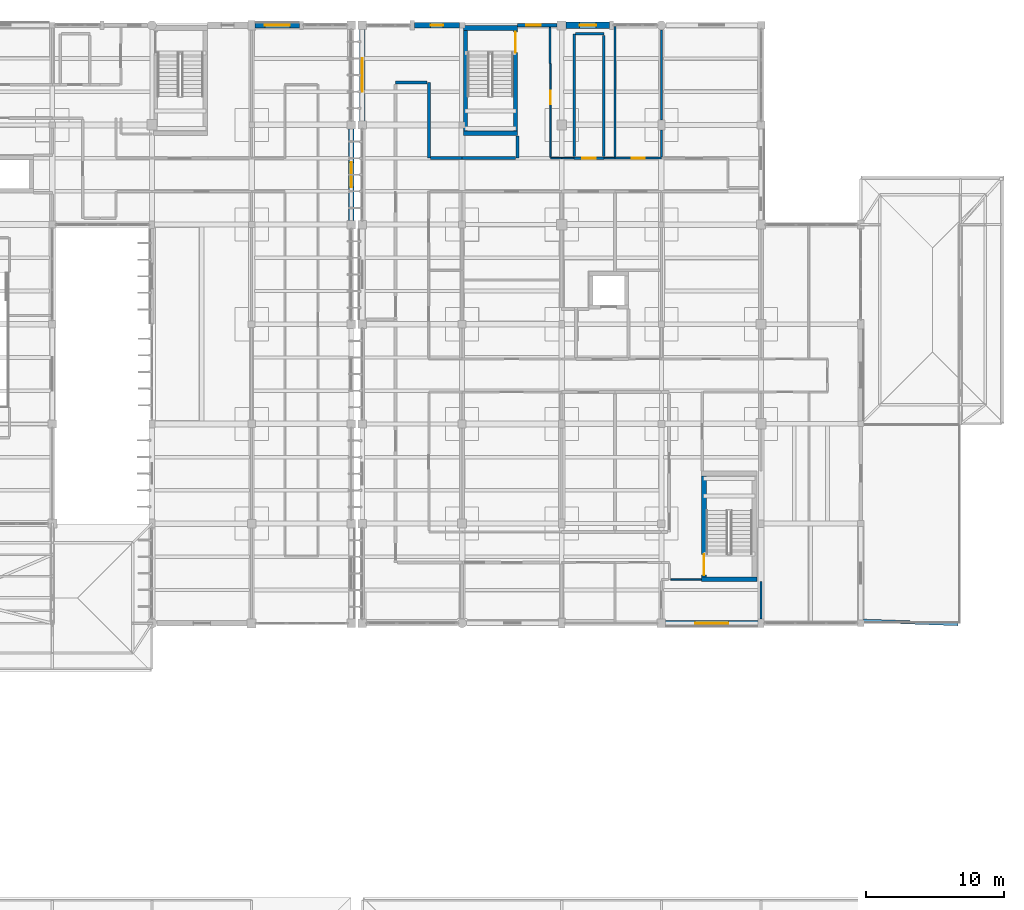
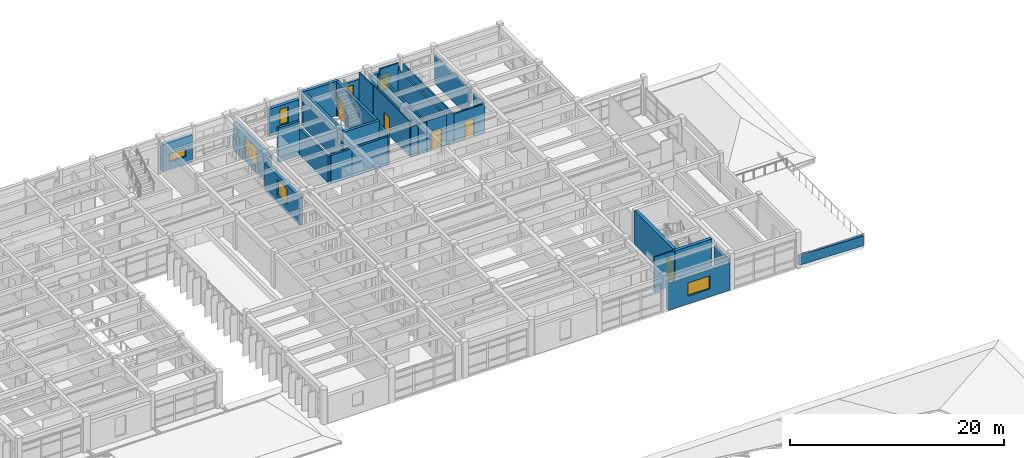
# One storey, part 81 of 100: 34 walls, 7 windows, 5 doors, 12 openings.
"""IFC4 building model written with IfcOpenShell, lengths in metres."""

from ifc_helpers import new_model, si_unit, direction, frame, frame_2d, origin, place, context, subcontext, project, spatial, rectangle, extrude, material, layer, layer_set, type_object, element, fill, save


model = new_model("IFC4")

# Units and contexts
model_context = context("Model", 3, precision=1e-05, world=origin(), true_north=direction((0.0, 1.0)))
body_context = subcontext(model_context, "Body", "Model", "MODEL_VIEW")
ifc_project = project(units=[si_unit("LENGTHUNIT", "METRE"), si_unit("AREAUNIT", "SQUARE_METRE"), si_unit("VOLUMEUNIT", "CUBIC_METRE"), si_unit("PLANEANGLEUNIT", "RADIAN"), si_unit("MASSUNIT", "GRAM", prefix="KILO")], contexts=[model_context])

# Site, building, storey
site_placement = place(None, origin())
site = spatial("IfcSite", under=ifc_project, at=site_placement, CompositionType="ELEMENT")
building_placement = place(site_placement, origin())
building = spatial("IfcBuilding", under=site, at=building_placement, Name="Steenspoor Specialist Clinic", CompositionType="ELEMENT")
storey_placement = place(building_placement, frame((0.0, 0.0, 9.0)))
storey = spatial("IfcBuildingStorey", under=building, at=storey_placement, Name="L02", CompositionType="ELEMENT", Elevation=9.0)

# Wall, opening, window
ifc_material_1 = material(Name="Extruded clay brick masonry", Category="masonry")
ifc_layer_1 = layer(ifc_material_1, 0.3798828125)
ifc_layer_set_1 = layer_set([ifc_layer_1], Name="Extruded clay brick masonry")
wall_type_1 = type_object("IfcWallType", Name="W-BRICK-380", PredefinedType="USERDEFINED", material=ifc_layer_set_1)
wall_1_placement = place(storey_placement, frame((117.199951171875, 100.85009765625, 0.0), z_axis=(0.0, 0.0, 1.0), x_axis=(0.0, -1.0, 0.0)))
wall_1 = element("IfcWall", 1, at=wall_1_placement, inside=storey, type_object=wall_type_1, Name="Exterior Brick Wall EW-V4-L02-0148", ObjectType="CAVITY VENEER", PredefinedType="USERDEFINED", context=body_context, shape_type="SweptSolid", body=[
    extrude(rectangle(XDim=6.60009765625, YDim=0.3798828125, at=frame_2d((3.300048828125, 0.0))), origin(), (0.0, 0.0, 1.0), 3.1298828125),
])
opening_1_placement = place(wall_1_placement, frame((2.39990234375, 0.0, 0.89990234375)))
opening_1 = element("IfcOpeningElement", 2, at=opening_1_placement, cuts=wall_1, Name="Opening WN-08", PredefinedType="OPENING", context=body_context, shape_type="SweptSolid", body=[
    extrude(rectangle(XDim=1.800048828125, YDim=1.800048828125, at=frame_2d((0.89990234375, 0.89990234375))), frame((0.0, 0.199951171875, 0.0), z_axis=(0.0, -1.0, 0.0), x_axis=(1.0, 0.0, 0.0)), (0.0, 0.0, 1.0), 0.39990234375),
])
ifc_material_2 = material(Name="Thermally broken aluminium and low-emissivity glass", Category="aluminium")
window_type_1 = type_object("IfcWindowType", Name="WN-EXT-180X180", PartitioningType="SINGLE_PANEL", PredefinedType="WINDOW", material=ifc_material_2)
window_1_placement = place(opening_1_placement, origin())
window_1 = element("IfcWindow", 3, at=window_1_placement, inside=storey, type_object=window_type_1, Name="Window 0174", OverallHeight=1.800048828125, OverallWidth=1.800048828125, PartitioningType="SINGLE_PANEL", PredefinedType="WINDOW", context=body_context, shape_type="SweptSolid", body=[
    extrude(rectangle(XDim=1.800048828125, YDim=1.800048828125, at=frame_2d((0.89990234375, 0.89990234375))), frame((0.0, 0.030029296875, 0.0), z_axis=(0.0, -1.0, 0.0), x_axis=(1.0, 0.0, 0.0)), (0.0, 0.0, 1.0), 0.06005859375),
])
fill(opening_1, window_1)

wall_2_placement = place(storey_placement, frame((121.77001953125, 108.35009765625, 0.0), z_axis=(0.0, 0.0, 1.0), x_axis=(1.0, 0.0, 0.0)))
wall_2 = element("IfcWall", 4, at=wall_2_placement, inside=storey, type_object=wall_type_1, Name="Exterior Brick Wall EW-V6-L02-0332", ObjectType="CAVITY VENEER", PredefinedType="USERDEFINED", context=body_context, shape_type="SweptSolid", body=[
    extrude(rectangle(XDim=3.22998046875, YDim=0.3798828125, at=frame_2d((1.614990234375, 0.0))), origin(), (0.0, 0.0, 1.0), 3.1298828125),
])
opening_2_placement = place(wall_2_placement, frame((1.1650390625, 0.0, 0.89990234375)))
opening_2 = element("IfcOpeningElement", 5, at=opening_2_placement, cuts=wall_2, Name="Opening WN-03", PredefinedType="OPENING", context=body_context, shape_type="SweptSolid", body=[
    extrude(rectangle(XDim=0.89990234375, YDim=1.800048828125, at=frame_2d((0.449951171875, 0.89990234375))), frame((0.0, 0.199951171875, 0.0), z_axis=(0.0, -1.0, 0.0), x_axis=(1.0, 0.0, 0.0)), (0.0, 0.0, 1.0), 0.39990234375),
])
window_type_2 = type_object("IfcWindowType", Name="WN-EXT-090X180", PartitioningType="SINGLE_PANEL", PredefinedType="WINDOW", material=ifc_material_2)
window_2_placement = place(opening_2_placement, origin())
window_2 = element("IfcWindow", 6, at=window_2_placement, inside=storey, type_object=window_type_2, Name="Window 0353", OverallHeight=1.800048828125, OverallWidth=0.89990234375, PartitioningType="SINGLE_PANEL", PredefinedType="WINDOW", context=body_context, shape_type="SweptSolid", body=[
    extrude(rectangle(XDim=0.89990234375, YDim=1.800048828125, at=frame_2d((0.449951171875, 0.89990234375))), frame((0.0, 0.030029296875, 0.0), z_axis=(0.0, -1.0, 0.0), x_axis=(1.0, 0.0, 0.0)), (0.0, 0.0, 1.0), 0.06005859375),
])
fill(opening_2, window_2)

ifc_layer_2 = layer(ifc_material_1, 0.409912109375)
ifc_layer_set_2 = layer_set([ifc_layer_2], Name="Extruded clay brick masonry")
wall_type_2 = type_object("IfcWallType", Name="W-BRICK-410", PredefinedType="USERDEFINED", material=ifc_layer_set_2)
wall_3_placement = place(storey_placement, frame((110.25, 108.35009765625, 0.0), z_axis=(0.0, 0.0, 1.0), x_axis=(1.0, 0.0, 0.0)))
wall_3 = element("IfcWall", 7, at=wall_3_placement, inside=storey, type_object=wall_type_2, Name="Exterior Brick Wall EW-V4-L02-0147", ObjectType="CAVITY VENEER", PredefinedType="USERDEFINED", context=body_context, shape_type="SweptSolid", body=[
    extrude(rectangle(XDim=3.2099609375, YDim=0.409912109375, at=frame_2d((1.60498046875, 0.0))), origin(), (0.0, 0.0, 1.0), 3.1298828125),
])
opening_3_placement = place(wall_3_placement, frame((0.705078125, 0.0, 0.89990234375)))
opening_3 = element("IfcOpeningElement", 8, at=opening_3_placement, cuts=wall_3, Name="Opening WN-22", PredefinedType="OPENING", context=body_context, shape_type="SweptSolid", body=[
    extrude(rectangle(XDim=1.800048828125, YDim=0.89990234375, at=frame_2d((0.89990234375, 0.449951171875))), frame((0.0, 0.21484375, 0.0), z_axis=(0.0, -1.0, 0.0), x_axis=(1.0, 0.0, 0.0)), (0.0, 0.0, 1.0), 0.429931640625),
])
window_type_3 = type_object("IfcWindowType", Name="WN-EXT-180X090", PartitioningType="SINGLE_PANEL", PredefinedType="WINDOW", material=ifc_material_2)
window_3_placement = place(opening_3_placement, origin())
window_3 = element("IfcWindow", 9, at=window_3_placement, inside=storey, type_object=window_type_3, Name="Window 0173", OverallHeight=0.89990234375, OverallWidth=1.800048828125, PartitioningType="SINGLE_PANEL", PredefinedType="WINDOW", context=body_context, shape_type="SweptSolid", body=[
    extrude(rectangle(XDim=1.800048828125, YDim=0.89990234375, at=frame_2d((0.89990234375, 0.449951171875))), frame((0.0, 0.030029296875, 0.0), z_axis=(0.0, -1.0, 0.0), x_axis=(1.0, 0.0, 0.0)), (0.0, 0.0, 1.0), 0.06005859375),
])
fill(opening_3, window_3)

wall_4_placement = place(storey_placement, frame((146.574951171875, 65.14990234375, 0.0), z_axis=(0.0, 0.0, 1.0), x_axis=(-1.0, 0.0, 0.0)))
wall_4 = element("IfcWall", 10, at=wall_4_placement, inside=storey, type_object=wall_type_2, Name="Exterior Brick Wall EW-V6-L02-0327", ObjectType="CAVITY VENEER", PredefinedType="USERDEFINED", context=body_context, shape_type="SweptSolid", body=[
    extrude(rectangle(XDim=6.675048828125, YDim=0.409912109375, at=frame_2d((3.33740234375, 0.0))), origin(), (0.0, 0.0, 1.0), 3.1298828125),
])
opening_4_placement = place(wall_4_placement, frame((2.137451171875, 0.0, 0.89990234375)))
opening_4 = element("IfcOpeningElement", 11, at=opening_4_placement, cuts=wall_4, Name="Opening WN-14", PredefinedType="OPENING", context=body_context, shape_type="SweptSolid", body=[
    extrude(rectangle(XDim=2.39990234375, YDim=1.5, at=frame_2d((1.199951171875, 0.75))), frame((0.0, 0.21484375, 0.0), z_axis=(0.0, -1.0, 0.0), x_axis=(1.0, 0.0, 0.0)), (0.0, 0.0, 1.0), 0.429931640625),
])
window_type_4 = type_object("IfcWindowType", Name="WN-EXT-240X150", PartitioningType="SINGLE_PANEL", PredefinedType="WINDOW", material=ifc_material_2)
window_4_placement = place(opening_4_placement, origin())
window_4 = element("IfcWindow", 12, at=window_4_placement, inside=storey, type_object=window_type_4, Name="Window 0348", OverallHeight=1.5, OverallWidth=2.39990234375, PartitioningType="SINGLE_PANEL", PredefinedType="WINDOW", context=body_context, shape_type="SweptSolid", body=[
    extrude(rectangle(XDim=2.39990234375, YDim=1.5, at=frame_2d((1.199951171875, 0.75))), frame((0.0, 0.030029296875, 0.0), z_axis=(0.0, -1.0, 0.0), x_axis=(1.0, 0.0, 0.0)), (0.0, 0.0, 1.0), 0.06005859375),
])
fill(opening_4, window_4)

wall_5_placement = place(storey_placement, frame((118.0, 101.449951171875, 0.0), z_axis=(0.0, 0.0, 1.0), x_axis=(0.0, 1.0, 0.0)))
wall_5 = element("IfcWall", 13, at=wall_5_placement, inside=storey, type_object=wall_type_2, Name="Exterior Brick Wall EW-V6-L02-0331", ObjectType="CAVITY VENEER", PredefinedType="USERDEFINED", context=body_context, shape_type="SweptSolid", body=[
    extrude(rectangle(XDim=6.60009765625, YDim=0.409912109375, at=frame_2d((3.300048828125, 0.0))), origin(), (0.0, 0.0, 1.0), 3.1298828125),
])
opening_5_placement = place(wall_5_placement, frame((2.10009765625, 0.0, 0.60009765625)))
opening_5 = element("IfcOpeningElement", 14, at=opening_5_placement, cuts=wall_5, Name="Opening WN-18", PredefinedType="OPENING", context=body_context, shape_type="SweptSolid", body=[
    extrude(rectangle(XDim=2.39990234375, YDim=2.199951171875, at=frame_2d((1.199951171875, 1.10009765625))), frame((0.0, 0.21484375, 0.0), z_axis=(0.0, -1.0, 0.0), x_axis=(1.0, 0.0, 0.0)), (0.0, 0.0, 1.0), 0.429931640625),
])
window_type_5 = type_object("IfcWindowType", Name="WN-EXT-240X220", PartitioningType="SINGLE_PANEL", PredefinedType="WINDOW", material=ifc_material_2)
window_5_placement = place(opening_5_placement, origin())
window_5 = element("IfcWindow", 15, at=window_5_placement, inside=storey, type_object=window_type_5, Name="Window 0352", OverallHeight=2.199951171875, OverallWidth=2.39990234375, PartitioningType="SINGLE_PANEL", PredefinedType="WINDOW", context=body_context, shape_type="SweptSolid", body=[
    extrude(rectangle(XDim=2.39990234375, YDim=2.199951171875, at=frame_2d((1.199951171875, 1.10009765625))), frame((0.0, 0.030029296875, 0.0), z_axis=(0.0, -1.0, 0.0), x_axis=(1.0, 0.0, 0.0)), (0.0, 0.0, 1.0), 0.06005859375),
])
fill(opening_5, window_5)

ifc_layer_3 = layer(ifc_material_1, 0.43994140625)
ifc_layer_set_3 = layer_set([ifc_layer_3], Name="Extruded clay brick masonry")
wall_type_3 = type_object("IfcWallType", Name="W-BRICK-440", PredefinedType="USERDEFINED", material=ifc_layer_set_3)
wall_6_placement = place(storey_placement, frame((132.72509765625, 108.35009765625, 0.0), z_axis=(0.0, 0.0, 1.0), x_axis=(1.0, 0.0, 0.0)))
wall_6 = element("IfcWall", 16, at=wall_6_placement, inside=storey, type_object=wall_type_3, Name="Exterior Brick Wall EW-V6-L02-0334", ObjectType="CAVITY VENEER", PredefinedType="USERDEFINED", context=body_context, shape_type="SweptSolid", body=[
    extrude(rectangle(XDim=3.125, YDim=0.43994140625, at=frame_2d((1.5625, 0.0))), origin(), (0.0, 0.0, 1.0), 3.1298828125),
])
opening_6_placement = place(wall_6_placement, frame((0.96240234375, 0.0, 0.89990234375)))
opening_6 = element("IfcOpeningElement", 17, at=opening_6_placement, cuts=wall_6, Name="Opening WN-05", PredefinedType="OPENING", context=body_context, shape_type="SweptSolid", body=[
    extrude(rectangle(XDim=1.199951171875, YDim=1.800048828125, at=frame_2d((0.60009765625, 0.89990234375))), frame((0.0, 0.22998046875, 0.0), z_axis=(0.0, -1.0, 0.0), x_axis=(1.0, 0.0, 0.0)), (0.0, 0.0, 1.0), 0.4599609375),
])
window_type_6 = type_object("IfcWindowType", Name="WN-EXT-120X180", PartitioningType="SINGLE_PANEL", PredefinedType="WINDOW", material=ifc_material_2)
window_6_placement = place(opening_6_placement, origin())
window_6 = element("IfcWindow", 18, at=window_6_placement, inside=storey, type_object=window_type_6, Name="Window 0355", OverallHeight=1.800048828125, OverallWidth=1.199951171875, PartitioningType="SINGLE_PANEL", PredefinedType="WINDOW", context=body_context, shape_type="SweptSolid", body=[
    extrude(rectangle(XDim=1.199951171875, YDim=1.800048828125, at=frame_2d((0.60009765625, 0.89990234375))), frame((0.0, 0.030029296875, 0.0), z_axis=(0.0, -1.0, 0.0), x_axis=(1.0, 0.0, 0.0)), (0.0, 0.0, 1.0), 0.06005859375),
])
fill(opening_6, window_6)

# Wall, opening, door
ifc_material_3 = material(Name="Gypsum acoustic clinical partition", Category="gypsum")
ifc_layer_4 = layer(ifc_material_3, 0.14990234375)
ifc_layer_set_4 = layer_set([ifc_layer_4], Name="Gypsum acoustic clinical partition")
wall_type_4 = type_object("IfcWallType", Name="W-CLIN-150", PredefinedType="PARTITIONING", material=ifc_layer_set_4)
wall_7_placement = place(storey_placement, frame((136.25, 98.75, 0.0), z_axis=(0.0, 0.0, 1.0), x_axis=(1.0, 0.0, 0.0)))
wall_7 = element("IfcWall", 19, at=wall_7_placement, inside=storey, type_object=wall_type_4, Name="Interior Partition IW-V6-L02-1377", PredefinedType="PARTITIONING", context=body_context, shape_type="SweptSolid", body=[
    extrude(rectangle(XDim=3.35009765625, YDim=0.14990234375, at=frame_2d((1.675048828125, 0.0))), origin(), (0.0, 0.0, 1.0), 3.284912109375),
])
opening_7_placement = place(wall_7_placement, frame((1.199951171875, 0.0, 0.0)))
opening_7 = element("IfcOpeningElement", 20, at=opening_7_placement, cuts=wall_7, Name="Opening D0480", PredefinedType="OPENING", context=body_context, shape_type="SweptSolid", body=[
    extrude(rectangle(XDim=0.949951171875, YDim=2.10009765625, at=frame_2d((0.47509765625, 1.050048828125))), frame((0.0, 0.0849609375, 0.0), z_axis=(0.0, -1.0, 0.0), x_axis=(1.0, 0.0, 0.0)), (0.0, 0.0, 1.0), 0.169921875),
])
ifc_material_4 = material(Name="Moisture-resistant HPL sanitary door", Category="wood")
door_type_1 = type_object("IfcDoorType", Name="DT-WC-095X210", OperationType="NOTDEFINED", PredefinedType="DOOR", material=ifc_material_4)
door_1_placement = place(opening_7_placement, origin())
door_1 = element("IfcDoor", 21, at=door_1_placement, inside=storey, type_object=door_type_1, Name="Clinical Door D0480", OperationType="SINGLE_SWING_LEFT", OverallHeight=2.10009765625, OverallWidth=0.949951171875, PredefinedType="DOOR", context=body_context, shape_type="SweptSolid", body=[
    extrude(rectangle(XDim=0.949951171875, YDim=2.10009765625, at=frame_2d((0.47509765625, 1.050048828125))), frame((0.0, 0.02490234375, 0.0), z_axis=(0.0, -1.0, 0.0), x_axis=(1.0, 0.0, 0.0)), (0.0, 0.0, 1.0), 0.050048828125),
])
fill(opening_7, door_1)

# Walls
wall_8_placement = place(storey_placement, frame((146.800048828125, 65.465087890625, 0.0), z_axis=(0.0, 0.0, 1.0), x_axis=(0.0, 1.0, 0.0)))
element("IfcWall", 22, at=wall_8_placement, inside=storey, type_object=wall_type_4, Name="Interior Partition IW-V6-L02-1486", PredefinedType="PARTITIONING", context=body_context, shape_type="SweptSolid", body=[
    extrude(rectangle(XDim=2.684814453125, YDim=0.14990234375, at=frame_2d((1.34228515625, 0.0))), origin(), (0.0, 0.0, 1.0), 3.215087890625),
])
wall_9_placement = place(storey_placement, frame((139.60009765625, 98.840087890625, 0.0), z_axis=(0.0, 0.0, 1.0), x_axis=(0.0, 1.0, 0.0)))
element("IfcWall", 23, at=wall_9_placement, inside=storey, type_object=wall_type_4, Name="Interior Partition IW-V6-L02-1504", PredefinedType="PARTITIONING", context=body_context, shape_type="SweptSolid", body=[
    extrude(rectangle(XDim=1.94482421875, YDim=0.14990234375, at=frame_2d((0.972412109375, 0.0))), origin(), (0.0, 0.0, 1.0), 3.284912109375),
])
wall_10_placement = place(storey_placement, frame((139.60009765625, 101.514892578125, 0.0), z_axis=(0.0, 0.0, 1.0), x_axis=(0.0, 1.0, 0.0)))
element("IfcWall", 24, at=wall_10_placement, inside=storey, type_object=wall_type_4, Name="Interior Partition IW-V6-L02-1505", PredefinedType="PARTITIONING", context=body_context, shape_type="SweptSolid", body=[
    extrude(rectangle(XDim=6.4951171875, YDim=0.14990234375, at=frame_2d((3.24755859375, 0.0))), origin(), (0.0, 0.0, 1.0), 3.284912109375),
])
wall_11_placement = place(storey_placement, frame((136.25, 98.840087890625, 0.0), z_axis=(0.0, 0.0, 1.0), x_axis=(0.0, 1.0, 0.0)))
element("IfcWall", 25, at=wall_11_placement, inside=storey, type_object=wall_type_4, Name="Interior Partition IW-V6-L02-1506", PredefinedType="PARTITIONING", context=body_context, shape_type="SweptSolid", body=[
    extrude(rectangle(XDim=9.405029296875, YDim=0.14990234375, at=frame_2d((4.70263671875, 0.0))), origin(), (0.0, 0.0, 1.0), 3.284912109375),
])
ifc_material_5 = material(Name="Concrete C40/50", Category="concrete")
ifc_layer_5 = layer(ifc_material_5, 0.330078125)
ifc_layer_set_5 = layer_set([ifc_layer_5], Name="Concrete C40/50")
wall_type_5 = type_object("IfcWallType", Name="W-ESW-330", PredefinedType="SHEAR", material=ifc_layer_set_5)
wall_12_placement = place(storey_placement, frame((125.300048828125, 108.14990234375, 0.0), z_axis=(0.0, 0.0, 1.0), x_axis=(1.0, 0.0, 0.0)))
element("IfcWall", 26, at=wall_12_placement, inside=storey, type_object=wall_type_5, Name="Core Shear Wall SW-ST-V6A-L02-N", PredefinedType="SHEAR", context=body_context, shape_type="SweptSolid", body=[
    extrude(rectangle(XDim=3.89990234375, YDim=0.330078125, at=frame_2d((1.949951171875, 0.0))), origin(), (0.0, 0.0, 1.0), 3.949951171875),
])
ifc_material_6 = material(Name="Fire-rated clay blockwork masonry", Category="masonry")
ifc_layer_6 = layer(ifc_material_6, 0.219970703125)
ifc_layer_set_6 = layer_set([ifc_layer_6], Name="Fire-rated clay blockwork masonry")
wall_type_6 = type_object("IfcWallType", Name="W-FIRE-220", PredefinedType="PARTITIONING", material=ifc_layer_set_6)
wall_13_placement = place(storey_placement, frame((122.800048828125, 98.75, 0.0), z_axis=(0.0, 0.0, 1.0), x_axis=(0.0, 1.0, 0.0)))
element("IfcWall", 27, at=wall_13_placement, inside=storey, type_object=wall_type_6, Name="Interior Partition IW-V6-L02-1280", PredefinedType="PARTITIONING", context=body_context, shape_type="SweptSolid", body=[
    extrude(rectangle(XDim=5.449951171875, YDim=0.219970703125, at=frame_2d((2.72509765625, 0.0))), origin(), (0.0, 0.0, 1.0), 3.135009765625),
])
wall_14_placement = place(storey_placement, frame((120.39990234375, 104.199951171875, 0.0), z_axis=(0.0, 0.0, 1.0), x_axis=(1.0, 0.0, 0.0)))
element("IfcWall", 28, at=wall_14_placement, inside=storey, type_object=wall_type_6, Name="Interior Partition IW-V6-L02-1281", PredefinedType="PARTITIONING", context=body_context, shape_type="SweptSolid", body=[
    extrude(rectangle(XDim=2.275146484375, YDim=0.219970703125, at=frame_2d((1.1376953125, 0.0))), origin(), (0.0, 0.0, 1.0), 3.949951171875),
])
wall_15_placement = place(storey_placement, frame((129.199951171875, 98.75, 0.0), z_axis=(0.0, 0.0, 1.0), x_axis=(0.0, 1.0, 0.0)))
element("IfcWall", 29, at=wall_15_placement, inside=storey, type_object=wall_type_6, Name="Interior Partition IW-V6-L02-1283", PredefinedType="PARTITIONING", context=body_context, shape_type="SweptSolid", body=[
    extrude(rectangle(XDim=1.60009765625, YDim=0.219970703125, at=frame_2d((0.800048828125, 0.0))), origin(), (0.0, 0.0, 1.0), 3.47509765625),
])
wall_16_placement = place(storey_placement, frame((125.199951171875, 98.75, 0.0), z_axis=(0.0, 0.0, 1.0), x_axis=(1.0, 0.0, 0.0)))
element("IfcWall", 30, at=wall_16_placement, inside=storey, type_object=wall_type_6, Name="Interior Partition IW-V6-L02-1284", PredefinedType="PARTITIONING", context=body_context, shape_type="SweptSolid", body=[
    extrude(rectangle(XDim=3.875, YDim=0.219970703125, at=frame_2d((1.9375, 0.0))), origin(), (0.0, 0.0, 1.0), 3.215087890625),
])
wall_17_placement = place(storey_placement, frame((122.925048828125, 98.75, 0.0), z_axis=(0.0, 0.0, 1.0), x_axis=(1.0, 0.0, 0.0)))
element("IfcWall", 31, at=wall_17_placement, inside=storey, type_object=wall_type_6, Name="Interior Partition IW-V6-L02-1285", PredefinedType="PARTITIONING", context=body_context, shape_type="SweptSolid", body=[
    extrude(rectangle(XDim=2.260009765625, YDim=0.219970703125, at=frame_2d((1.1298828125, 0.0))), origin(), (0.0, 0.0, 1.0), 3.215087890625),
])
ifc_layer_7 = layer(ifc_material_1, 0.239990234375)
ifc_layer_set_7 = layer_set([ifc_layer_7], Name="Extruded clay brick masonry")
wall_type_7 = type_object("IfcWallType", Name="W-PARAPET-240", PredefinedType="PARAPET", material=ifc_layer_set_7)
wall_18_placement = place(storey_placement, frame((154.179931640625, 65.330078125, 0.0), z_axis=(0.0, 0.0, 1.0), x_axis=(0.999385059583, -0.035064265038, 0.0)))
element("IfcWall", 32, at=wall_18_placement, inside=storey, type_object=wall_type_7, Name="Terrace Brick Parapet V6 L02 1", PredefinedType="PARAPET", context=body_context, shape_type="SweptSolid", body=[
    extrude(rectangle(XDim=6.84423828125, YDim=0.239990234375, at=frame_2d((3.422119140625, 0.0))), origin(), (0.0, 0.0, 1.0), 1.1201171875),
])
ifc_material_7 = material(Name="Gypsum studio partition board", Category="gypsum")
ifc_layer_8 = layer(ifc_material_7, 0.1201171875)
ifc_layer_set_8 = layer_set([ifc_layer_8], Name="Gypsum studio partition board")
wall_type_8 = type_object("IfcWallType", Name="W-PART-120", PredefinedType="PARTITIONING", material=ifc_layer_set_8)
wall_19_placement = place(storey_placement, frame((140.2900390625, 68.300048828125, 0.0), z_axis=(0.0, 0.0, 1.0), x_axis=(1.0, 0.0, 0.0)))
element("IfcWall", 33, at=wall_19_placement, inside=storey, type_object=wall_type_8, Name="Interior Partition IW-V6-L02-1401", PredefinedType="PARTITIONING", context=body_context, shape_type="SweptSolid", body=[
    extrude(rectangle(XDim=2.195068359375, YDim=0.1201171875, at=frame_2d((1.09765625, 0.0))), origin(), (0.0, 0.0, 1.0), 3.949951171875),
])
wall_20_placement = place(storey_placement, frame((131.550048828125, 105.60009765625, 0.0), z_axis=(0.0, 0.0, 1.0), x_axis=(0.0, 1.0, 0.0)))
element("IfcWall", 34, at=wall_20_placement, inside=storey, type_object=wall_type_8, Name="Interior Partition IW-V6-L02-1415", PredefinedType="PARTITIONING", context=body_context, shape_type="SweptSolid", body=[
    extrude(rectangle(XDim=2.599853515625, YDim=0.1201171875, at=frame_2d((1.2998046875, 0.0))), origin(), (0.0, 0.0, 1.0), 3.949951171875),
])
wall_21_placement = place(storey_placement, frame((135.465087890625, 98.75, 0.0), z_axis=(0.0, 0.0, 1.0), x_axis=(1.0, 0.0, 0.0)))
element("IfcWall", 35, at=wall_21_placement, inside=storey, type_object=wall_type_8, Name="Interior Partition IW-V6-L02-1416", PredefinedType="PARTITIONING", context=body_context, shape_type="SweptSolid", body=[
    extrude(rectangle(XDim=0.77001953125, YDim=0.1201171875, at=frame_2d((0.385009765625, 0.0))), origin(), (0.0, 0.0, 1.0), 3.514892578125),
])
wall_22_placement = place(storey_placement, frame((132.39990234375, 98.75, 0.0), z_axis=(0.0, 0.0, 1.0), x_axis=(1.0, 0.0, 0.0)))
element("IfcWall", 36, at=wall_22_placement, inside=storey, type_object=wall_type_8, Name="Interior Partition IW-V6-L02-1417", PredefinedType="PARTITIONING", context=body_context, shape_type="SweptSolid", body=[
    extrude(rectangle(XDim=0.885009765625, YDim=0.1201171875, at=frame_2d((0.4423828125, 0.0))), origin(), (0.0, 0.0, 1.0), 3.4150390625),
])
wall_23_placement = place(storey_placement, frame((131.60009765625, 98.75, 0.0), z_axis=(0.0, 0.0, 1.0), x_axis=(1.0, 0.0, 0.0)))
element("IfcWall", 37, at=wall_23_placement, inside=storey, type_object=wall_type_8, Name="Interior Partition IW-V6-L02-1418", PredefinedType="PARTITIONING", context=body_context, shape_type="SweptSolid", body=[
    extrude(rectangle(XDim=0.784912109375, YDim=0.1201171875, at=frame_2d((0.392578125, 0.0))), origin(), (0.0, 0.0, 1.0), 3.4150390625),
])

# Wall, opening, door
wall_24_placement = place(storey_placement, frame((131.60009765625, 98.824951171875, 0.0), z_axis=(0.0, 0.0, 1.0), x_axis=(0.0, 1.0, 0.0)))
wall_24 = element("IfcWall", 38, at=wall_24_placement, inside=storey, type_object=wall_type_8, Name="Interior Partition IW-V6-L02-1419", PredefinedType="PARTITIONING", context=body_context, shape_type="SweptSolid", body=[
    extrude(rectangle(XDim=6.760009765625, YDim=0.1201171875, at=frame_2d((3.3798828125, 0.0))), origin(), (0.0, 0.0, 1.0), 3.949951171875),
])
opening_8_placement = place(wall_24_placement, frame((3.801513671875, 0.0, 0.0)))
opening_8 = element("IfcOpeningElement", 39, at=opening_8_placement, cuts=wall_24, Name="Opening D0479", PredefinedType="OPENING", context=body_context, shape_type="SweptSolid", body=[
    extrude(rectangle(XDim=1.0, YDim=2.14990234375, at=frame_2d((0.5, 1.074951171875))), frame((0.0, 0.070068359375, 0.0), z_axis=(0.0, -1.0, 0.0), x_axis=(1.0, 0.0, 0.0)), (0.0, 0.0, 1.0), 0.14013671875),
])
ifc_material_8 = material(Name="Moisture-resistant HPL accessible WC door", Category="wood")
door_type_2 = type_object("IfcDoorType", Name="DT-AWC-100X215", OperationType="NOTDEFINED", PredefinedType="DOOR", material=ifc_material_8)
door_2_placement = place(opening_8_placement, origin())
door_2 = element("IfcDoor", 40, at=door_2_placement, inside=storey, type_object=door_type_2, Name="Clinical Door D0479", OperationType="SINGLE_SWING_RIGHT", OverallHeight=2.14990234375, OverallWidth=1.0, PredefinedType="DOOR", context=body_context, shape_type="SweptSolid", body=[
    extrude(rectangle(XDim=1.0, YDim=2.14990234375, at=frame_2d((0.5, 1.074951171875))), frame((0.0, 0.02490234375, 0.0), z_axis=(0.0, -1.0, 0.0), x_axis=(1.0, 0.0, 0.0)), (0.0, 0.0, 1.0), 0.050048828125),
])
fill(opening_8, door_2)

ifc_material_9 = material(Name="Moisture-resistant gypsum plumbing wall", Category="gypsum")
ifc_layer_9 = layer(ifc_material_9, 0.179931640625)
ifc_layer_set_9 = layer_set([ifc_layer_9], Name="Moisture-resistant gypsum plumbing wall")
wall_type_9 = type_object("IfcWallType", Name="W-PLUMB-180", PredefinedType="PLUMBINGWALL", material=ifc_layer_set_9)
wall_25_placement = place(storey_placement, frame((133.300048828125, 98.75, 0.0), z_axis=(0.0, 0.0, 1.0), x_axis=(1.0, 0.0, 0.0)))
wall_25 = element("IfcWall", 41, at=wall_25_placement, inside=storey, type_object=wall_type_9, Name="Interior Partition IW-V6-L02-1244", PredefinedType="PLUMBINGWALL", context=body_context, shape_type="SweptSolid", body=[
    extrude(rectangle(XDim=2.14990234375, YDim=0.179931640625, at=frame_2d((1.074951171875, 0.0))), origin(), (0.0, 0.0, 1.0), 3.514892578125),
])
opening_9_placement = place(wall_25_placement, frame((0.574951171875, 0.0, 0.0)))
opening_9 = element("IfcOpeningElement", 42, at=opening_9_placement, cuts=wall_25, Name="Opening D0478", PredefinedType="OPENING", context=body_context, shape_type="SweptSolid", body=[
    extrude(rectangle(XDim=1.0, YDim=2.14990234375, at=frame_2d((0.5, 1.074951171875))), frame((0.0, 0.10009765625, 0.0), z_axis=(0.0, -1.0, 0.0), x_axis=(1.0, 0.0, 0.0)), (0.0, 0.0, 1.0), 0.199951171875),
])
door_3_placement = place(opening_9_placement, origin())
door_3 = element("IfcDoor", 43, at=door_3_placement, inside=storey, type_object=door_type_2, Name="Clinical Door D0478", OperationType="SINGLE_SWING_LEFT", OverallHeight=2.14990234375, OverallWidth=1.0, PredefinedType="DOOR", context=body_context, shape_type="SweptSolid", body=[
    extrude(rectangle(XDim=1.0, YDim=2.14990234375, at=frame_2d((0.5, 1.074951171875))), frame((0.0, 0.02490234375, 0.0), z_axis=(0.0, -1.0, 0.0), x_axis=(1.0, 0.0, 0.0)), (0.0, 0.0, 1.0), 0.050048828125),
])
fill(opening_9, door_3)

# Walls
wall_26_placement = place(storey_placement, frame((133.300048828125, 98.85498046875, 0.0), z_axis=(0.0, 0.0, 1.0), x_axis=(0.0, 1.0, 0.0)))
element("IfcWall", 44, at=wall_26_placement, inside=storey, type_object=wall_type_9, Name="Interior Partition IW-V6-L02-1258", PredefinedType="PLUMBINGWALL", context=body_context, shape_type="SweptSolid", body=[
    extrude(rectangle(XDim=8.875, YDim=0.179931640625, at=frame_2d((4.4375, 0.0))), origin(), (0.0, 0.0, 1.0), 3.284912109375),
])
wall_27_placement = place(storey_placement, frame((133.405029296875, 107.72998046875, 0.0), z_axis=(0.0, 0.0, 1.0), x_axis=(1.0, 0.0, 0.0)))
element("IfcWall", 45, at=wall_27_placement, inside=storey, type_object=wall_type_9, Name="Interior Partition IW-V6-L02-1259", PredefinedType="PLUMBINGWALL", context=body_context, shape_type="SweptSolid", body=[
    extrude(rectangle(XDim=2.044921875, YDim=0.179931640625, at=frame_2d((1.0224609375, 0.0))), origin(), (0.0, 0.0, 1.0), 3.949951171875),
])
wall_28_placement = place(storey_placement, frame((135.449951171875, 98.85498046875, 0.0), z_axis=(0.0, 0.0, 1.0), x_axis=(0.0, 1.0, 0.0)))
element("IfcWall", 46, at=wall_28_placement, inside=storey, type_object=wall_type_9, Name="Interior Partition IW-V6-L02-1260", PredefinedType="PLUMBINGWALL", context=body_context, shape_type="SweptSolid", body=[
    extrude(rectangle(XDim=8.77001953125, YDim=0.179931640625, at=frame_2d((4.385009765625, 0.0))), origin(), (0.0, 0.0, 1.0), 3.284912109375),
])

# Wall, opening, window
ifc_layer_10 = layer(ifc_material_1, 0.260009765625)
ifc_layer_set_10 = layer_set([ifc_layer_10], Name="Extruded clay brick masonry")
wall_type_10 = type_object("IfcWallType", Name="W-SCREEN-260", PredefinedType="SOLIDWALL", material=ifc_layer_set_10)
wall_29_placement = place(storey_placement, frame((129.199951171875, 108.35009765625, 0.0), z_axis=(0.0, 0.0, 1.0), x_axis=(1.0, 0.0, 0.0)))
wall_29 = element("IfcWall", 47, at=wall_29_placement, inside=storey, type_object=wall_type_10, Name="Exterior Brick Wall EW-V6-L02-0333", PredefinedType="SOLIDWALL", context=body_context, shape_type="SweptSolid", body=[
    extrude(rectangle(XDim=2.875, YDim=0.260009765625, at=frame_2d((1.4375, 0.0))), origin(), (0.0, 0.0, 1.0), 3.1298828125),
])
opening_10_placement = place(wall_29_placement, frame((0.639892578125, 0.0, 0.89990234375)))
opening_10 = element("IfcOpeningElement", 48, at=opening_10_placement, cuts=wall_29, Name="Opening WN-04", PredefinedType="OPENING", context=body_context, shape_type="SweptSolid", body=[
    extrude(rectangle(XDim=1.050048828125, YDim=1.800048828125, at=frame_2d((0.52490234375, 0.89990234375))), frame((0.0, 0.14013671875, 0.0), z_axis=(0.0, -1.0, 0.0), x_axis=(1.0, 0.0, 0.0)), (0.0, 0.0, 1.0), 0.280029296875),
])
window_type_7 = type_object("IfcWindowType", Name="WN-EXT-105X180", PartitioningType="SINGLE_PANEL", PredefinedType="WINDOW", material=ifc_material_2)
window_7_placement = place(opening_10_placement, origin())
window_7 = element("IfcWindow", 49, at=window_7_placement, inside=storey, type_object=window_type_7, Name="Window 0354", OverallHeight=1.800048828125, OverallWidth=1.050048828125, PartitioningType="SINGLE_PANEL", PredefinedType="WINDOW", context=body_context, shape_type="SweptSolid", body=[
    extrude(rectangle(XDim=1.050048828125, YDim=1.800048828125, at=frame_2d((0.52490234375, 0.89990234375))), frame((0.0, 0.030029296875, 0.0), z_axis=(0.0, -1.0, 0.0), x_axis=(1.0, 0.0, 0.0)), (0.0, 0.0, 1.0), 0.06005859375),
])
fill(opening_10, window_7)

# Walls
ifc_layer_11 = layer(ifc_material_5, 0.300048828125)
ifc_layer_set_11 = layer_set([ifc_layer_11], Name="Concrete C40/50")
wall_type_11 = type_object("IfcWallType", Name="W-SW-300", PredefinedType="SHEAR", material=ifc_layer_set_11)
wall_30_placement = place(storey_placement, frame((125.300048828125, 100.550048828125, 0.0), z_axis=(0.0, 0.0, 1.0), x_axis=(1.0, 0.0, 0.0)))
element("IfcWall", 50, at=wall_30_placement, inside=storey, type_object=wall_type_11, Name="Core Shear Wall SW-ST-V6A-L02-S", PredefinedType="SHEAR", context=body_context, shape_type="SweptSolid", body=[
    extrude(rectangle(XDim=3.89990234375, YDim=0.300048828125, at=frame_2d((1.949951171875, 0.0))), origin(), (0.0, 0.0, 1.0), 3.949951171875),
])
wall_31_placement = place(storey_placement, frame((125.449951171875, 100.699951171875, 0.0), z_axis=(0.0, 0.0, 1.0), x_axis=(0.0, 1.0, 0.0)))
element("IfcWall", 51, at=wall_31_placement, inside=storey, type_object=wall_type_11, Name="Core Shear Wall SW-ST-V6A-L02-W", PredefinedType="SHEAR", context=body_context, shape_type="SweptSolid", body=[
    extrude(rectangle(XDim=7.300048828125, YDim=0.300048828125, at=frame_2d((3.64990234375, 0.0))), origin(), (0.0, 0.0, 1.0), 3.949951171875),
])

# Wall, opening, door
wall_32_placement = place(storey_placement, frame((129.050048828125, 100.699951171875, 0.0), z_axis=(0.0, 0.0, 1.0), x_axis=(0.0, 1.0, 0.0)))
wall_32 = element("IfcWall", 52, at=wall_32_placement, inside=storey, type_object=wall_type_11, Name="Core Shear Wall SW-ST-V6A-L02-E", PredefinedType="SHEAR", context=body_context, shape_type="SweptSolid", body=[
    extrude(rectangle(XDim=7.300048828125, YDim=0.300048828125, at=frame_2d((3.64990234375, 0.0))), origin(), (0.0, 0.0, 1.0), 3.949951171875),
])
opening_11_placement = place(wall_32_placement, frame((5.679931640625, 0.0, 0.0)))
opening_11 = element("IfcOpeningElement", 53, at=opening_11_placement, cuts=wall_32, Name="Opening SD037", PredefinedType="OPENING", context=body_context, shape_type="SweptSolid", body=[
    extrude(rectangle(XDim=1.5, YDim=2.14990234375, at=frame_2d((0.75, 1.074951171875))), frame((0.0, 0.16015625, 0.0), z_axis=(0.0, -1.0, 0.0), x_axis=(1.0, 0.0, 0.0)), (0.0, 0.0, 1.0), 0.320068359375),
])
ifc_material_10 = material(Name="Fire-rated steel acoustic door", Category="steel")
door_type_3 = type_object("IfcDoorType", Name="DT-STAIR-150X215", OperationType="NOTDEFINED", PredefinedType="DOOR", material=ifc_material_10)
door_4_placement = place(opening_11_placement, origin())
door_4 = element("IfcDoor", 54, at=door_4_placement, inside=storey, type_object=door_type_3, Name="Exit Stair Fire Door SD037", OperationType="SINGLE_SWING_RIGHT", OverallHeight=2.14990234375, OverallWidth=1.5, PredefinedType="DOOR", context=body_context, shape_type="SweptSolid", body=[
    extrude(rectangle(XDim=1.5, YDim=2.14990234375, at=frame_2d((0.75, 1.074951171875))), frame((0.0, 0.02490234375, 0.0), z_axis=(0.0, -1.0, 0.0), x_axis=(1.0, 0.0, 0.0)), (0.0, 0.0, 1.0), 0.050048828125),
])
fill(opening_11, door_4)

# Wall
ifc_layer_12 = layer(ifc_material_5, 0.35009765625)
ifc_layer_set_12 = layer_set([ifc_layer_12], Name="Concrete C40/50")
wall_type_12 = type_object("IfcWallType", Name="W-SW-350", PredefinedType="SHEAR", material=ifc_layer_set_12)
wall_33_placement = place(storey_placement, frame((142.5, 68.324951171875, 0.0), z_axis=(0.0, 0.0, 1.0), x_axis=(1.0, 0.0, 0.0)))
element("IfcWall", 55, at=wall_33_placement, inside=storey, type_object=wall_type_12, Name="Core Shear Wall SW-ST-V6B-L02-S", PredefinedType="SHEAR", context=body_context, shape_type="SweptSolid", body=[
    extrude(rectangle(XDim=4.0, YDim=0.35009765625, at=frame_2d((2.0, 0.0))), origin(), (0.0, 0.0, 1.0), 3.949951171875),
])

# Wall, opening, door
wall_34_placement = place(storey_placement, frame((142.675048828125, 68.5, 0.0), z_axis=(0.0, 0.0, 1.0), x_axis=(0.0, 1.0, 0.0)))
wall_34 = element("IfcWall", 56, at=wall_34_placement, inside=storey, type_object=wall_type_12, Name="Core Shear Wall SW-ST-V6B-L02-W", PredefinedType="SHEAR", context=body_context, shape_type="SweptSolid", body=[
    extrude(rectangle(XDim=7.300048828125, YDim=0.35009765625, at=frame_2d((3.64990234375, 0.0))), origin(), (0.0, 0.0, 1.0), 3.949951171875),
])
opening_12_placement = place(wall_34_placement, frame((0.1201171875, 0.0, 0.0)))
opening_12 = element("IfcOpeningElement", 57, at=opening_12_placement, cuts=wall_34, Name="Opening SD042", PredefinedType="OPENING", context=body_context, shape_type="SweptSolid", body=[
    extrude(rectangle(XDim=1.5, YDim=2.14990234375, at=frame_2d((0.75, 1.074951171875))), frame((0.0, 0.18505859375, 0.0), z_axis=(0.0, -1.0, 0.0), x_axis=(1.0, 0.0, 0.0)), (0.0, 0.0, 1.0), 0.3701171875),
])
door_5_placement = place(opening_12_placement, origin())
door_5 = element("IfcDoor", 58, at=door_5_placement, inside=storey, type_object=door_type_3, Name="Exit Stair Fire Door SD042", OperationType="SINGLE_SWING_LEFT", OverallHeight=2.14990234375, OverallWidth=1.5, PredefinedType="DOOR", context=body_context, shape_type="SweptSolid", body=[
    extrude(rectangle(XDim=1.5, YDim=2.14990234375, at=frame_2d((0.75, 1.074951171875))), frame((0.0, 0.02490234375, 0.0), z_axis=(0.0, -1.0, 0.0), x_axis=(1.0, 0.0, 0.0)), (0.0, 0.0, 1.0), 0.050048828125),
])
fill(opening_12, door_5)

save(model, "model.ifc")
